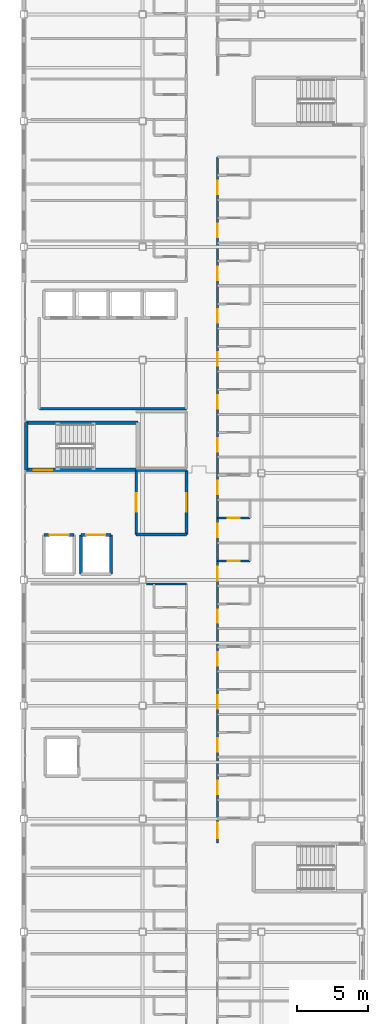
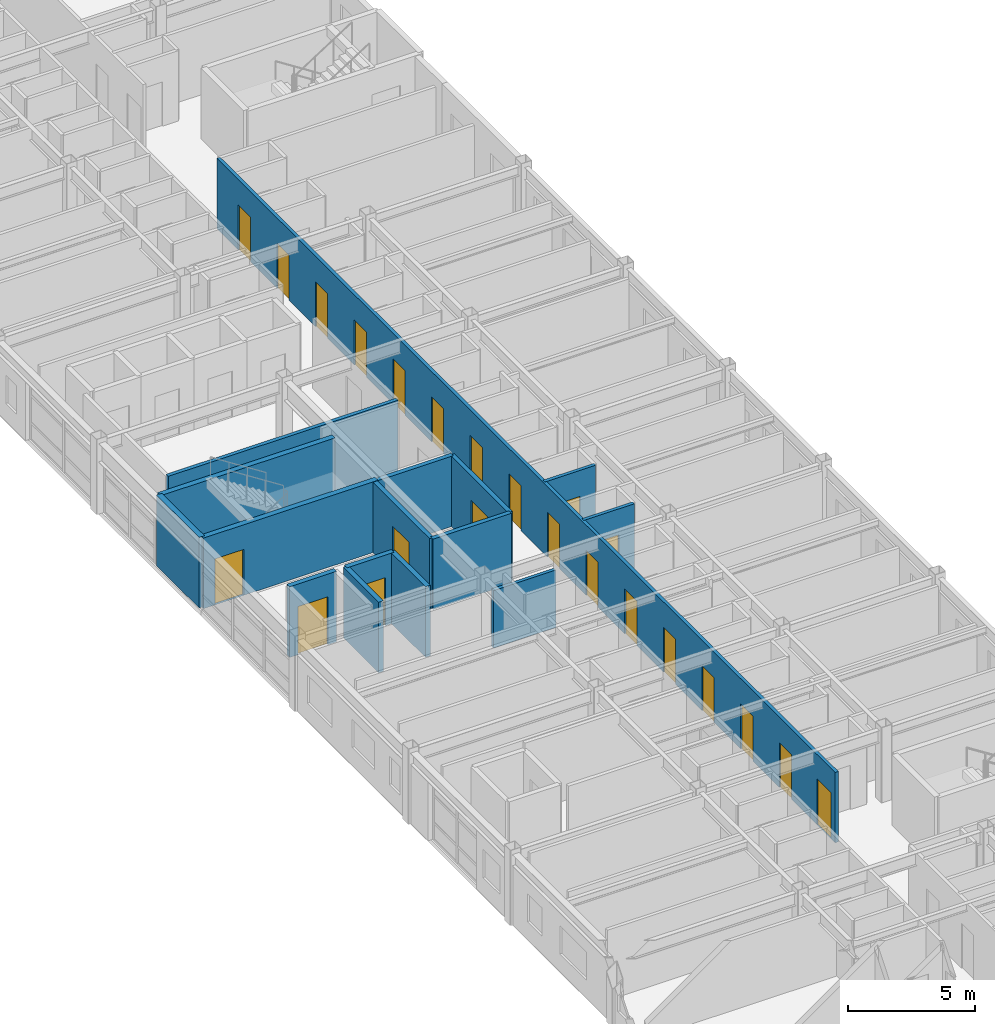
# One storey, part 26 of 33: 23 doors, 16 walls, 23 openings.
"""IFC4 building model written with IfcOpenShell, lengths in metres."""

from ifc_helpers import new_model, si_unit, direction, frame, frame_2d, origin, place, context, subcontext, project, spatial, rectangle, extrude, material, layer, layer_set, type_object, element, fill, save


model = new_model("IFC4")

# Units and contexts
model_context = context("Model", 3, precision=1e-05, world=origin(), true_north=direction((0.0, 1.0)))
body_context = subcontext(model_context, "Body", "Model", "MODEL_VIEW")
ifc_project = project(units=[si_unit("LENGTHUNIT", "METRE"), si_unit("AREAUNIT", "SQUARE_METRE"), si_unit("VOLUMEUNIT", "CUBIC_METRE"), si_unit("PLANEANGLEUNIT", "RADIAN"), si_unit("MASSUNIT", "GRAM", prefix="KILO")], contexts=[model_context])

# Site, building, storey
site_placement = place(None, origin())
site = spatial("IfcSite", under=ifc_project, at=site_placement, CompositionType="ELEMENT")
building_placement = place(site_placement, origin())
building = spatial("IfcBuilding", under=site, at=building_placement, Name="Kazehara Bluff Congress Hotel", CompositionType="ELEMENT")
storey_placement = place(building_placement, frame((0.0, 0.0, 39.0)))
storey = spatial("IfcBuildingStorey", under=building, at=storey_placement, Name="L09", CompositionType="ELEMENT", Elevation=39.0)

# Wall
ifc_material_1 = material(Name="Concrete C40/50", Category="concrete")
ifc_layer_1 = layer(ifc_material_1, 0.25)
ifc_layer_set_1 = layer_set([ifc_layer_1], Name="Concrete C40/50")
wall_type_1 = type_object("IfcWallType", Name="TP-CW-RC", PredefinedType="SHEAR", material=ifc_layer_set_1)
wall_1_placement = place(storey_placement, frame((143.875, 48.675048828125, 0.0), z_axis=(0.0, 0.0, 1.0), x_axis=(0.0, 1.0, 0.0)))
element("IfcWall", 1, at=wall_1_placement, inside=storey, type_object=wall_type_1, Name="L09 ST-11 core wall near", PredefinedType="SHEAR", context=body_context, shape_type="SweptSolid", body=[
    extrude(rectangle(XDim=3.349853515625, YDim=0.25, at=frame_2d((1.6748046875, 0.0))), origin(), (0.0, 0.0, 1.0), 3.3798828125),
])

# Wall, opening, door
wall_2_placement = place(storey_placement, frame((151.77490234375, 48.675048828125, 0.0), z_axis=(0.0, 0.0, 1.0), x_axis=(-1.0, 0.0, 0.0)))
wall_2 = element("IfcWall", 2, at=wall_2_placement, inside=storey, type_object=wall_type_1, Name="L09 ST-11 core wall left", PredefinedType="SHEAR", context=body_context, shape_type="SweptSolid", body=[
    extrude(rectangle(XDim=7.89990234375, YDim=0.25, at=frame_2d((3.949951171875, 0.0))), origin(), (0.0, 0.0, 1.0), 3.3798828125),
])
opening_1_placement = place(wall_2_placement, frame((6.074951171875, 0.0, 0.0)))
opening_1 = element("IfcOpeningElement", 3, at=opening_1_placement, cuts=wall_2, Name="Opening FD-01", PredefinedType="OPENING", context=body_context, shape_type="SweptSolid", body=[
    extrude(rectangle(XDim=1.300048828125, YDim=2.199951171875, at=frame_2d((0.64990234375, 1.10009765625))), frame((0.0, 0.135009765625, 0.0), z_axis=(0.0, -1.0, 0.0), x_axis=(1.0, 0.0, 0.0)), (0.0, 0.0, 1.0), 0.27001953125),
])
ifc_material_2 = material(Name="Fire-rated painted steel leaf", Category="steel")
door_type_1 = type_object("IfcDoorType", Name="TP-FD-01", OperationType="NOTDEFINED", PredefinedType="DOOR", material=ifc_material_2)
door_1_placement = place(opening_1_placement, origin())
door_1 = element("IfcDoor", 4, at=door_1_placement, inside=storey, type_object=door_type_1, Name="L09 ST-11 fire stair door", OperationType="SINGLE_SWING_RIGHT", OverallHeight=2.199951171875, OverallWidth=1.300048828125, PredefinedType="DOOR", context=body_context, shape_type="SweptSolid", body=[
    extrude(rectangle(XDim=1.300048828125, YDim=2.199951171875, at=frame_2d((0.64990234375, 1.10009765625))), frame((0.0, 0.02490234375, 0.0), z_axis=(0.0, -1.0, 0.0), x_axis=(1.0, 0.0, 0.0)), (0.0, 0.0, 1.0), 0.050048828125),
])
fill(opening_1, door_1)

# Walls
wall_3_placement = place(storey_placement, frame((143.875, 52.02490234375, 0.0), z_axis=(0.0, 0.0, 1.0), x_axis=(1.0, 0.0, 0.0)))
element("IfcWall", 5, at=wall_3_placement, inside=storey, type_object=wall_type_1, Name="L09 ST-11 core wall right", PredefinedType="SHEAR", context=body_context, shape_type="SweptSolid", body=[
    extrude(rectangle(XDim=7.89990234375, YDim=0.25, at=frame_2d((3.949951171875, 0.0))), origin(), (0.0, 0.0, 1.0), 3.3798828125),
])
ifc_material_3 = material(Name="Concrete C40/50", Category="concrete")
ifc_layer_2 = layer(ifc_material_3, 0.199951171875)
ifc_layer_set_2 = layer_set([ifc_layer_2], Name="Concrete C40/50")
wall_type_2 = type_object("IfcWallType", Name="TP-FW-RC", PredefinedType="SOLIDWALL", material=ifc_layer_set_2)
for number, where, z_axis, x_axis, name in (
    (6, (151.64990234375, 44.10009765625, 0.0), (0.0, 0.0, 1.0), (1.0, 0.0, 0.0), "L09 partition FW-RC 1208"),
    (7, (151.64990234375, 48.64990234375, 0.0), (0.0, 0.0, 1.0), (1.0, 0.0, 0.0), "L09 partition FW-RC 1212"),
):
    element("IfcWall", number, at=place(storey_placement, frame(where, z_axis=z_axis, x_axis=x_axis)), inside=storey, type_object=wall_type_2, Name=name, PredefinedType="SOLIDWALL", context=body_context, shape_type="SweptSolid", body=[
        extrude(rectangle(XDim=3.550048828125, YDim=0.199951171875, at=frame_2d((1.77490234375, 0.0))), origin(), (0.0, 0.0, 1.0), 3.364990234375),
    ])

# Wall, opening, door
wall_4_placement = place(storey_placement, frame((151.64990234375, 44.10009765625, 0.0), z_axis=(0.0, 0.0, 1.0), x_axis=(0.0, 1.0, 0.0)))
wall_4 = element("IfcWall", 8, at=wall_4_placement, inside=storey, type_object=wall_type_2, Name="L09 partition FW-RC 1262", PredefinedType="SOLIDWALL", context=body_context, shape_type="SweptSolid", body=[
    extrude(rectangle(XDim=4.5498046875, YDim=0.199951171875, at=frame_2d((2.27490234375, 0.0))), origin(), (0.0, 0.0, 1.0), 3.364990234375),
])
opening_2_placement = place(wall_4_placement, frame((1.625, 0.0, 0.0)))
opening_2 = element("IfcOpeningElement", 9, at=opening_2_placement, cuts=wall_4, Name="Opening FD-01", PredefinedType="OPENING", context=body_context, shape_type="SweptSolid", body=[
    extrude(rectangle(XDim=1.300048828125, YDim=2.199951171875, at=frame_2d((0.64990234375, 1.10009765625))), frame((0.0, 0.10986328125, 0.0), z_axis=(0.0, -1.0, 0.0), x_axis=(1.0, 0.0, 0.0)), (0.0, 0.0, 1.0), 0.219970703125),
])
door_2_placement = place(opening_2_placement, origin())
door_2 = element("IfcDoor", 10, at=door_2_placement, inside=storey, type_object=door_type_1, Name="L09 Emergency Firefighting Lobby door", OperationType="SINGLE_SWING_RIGHT", OverallHeight=2.199951171875, OverallWidth=1.300048828125, PredefinedType="DOOR", context=body_context, shape_type="SweptSolid", body=[
    extrude(rectangle(XDim=1.300048828125, YDim=2.199951171875, at=frame_2d((0.64990234375, 1.10009765625))), frame((0.0, 0.02490234375, 0.0), z_axis=(0.0, -1.0, 0.0), x_axis=(1.0, 0.0, 0.0)), (0.0, 0.0, 1.0), 0.050048828125),
])
fill(opening_2, door_2)

wall_5_placement = place(storey_placement, frame((155.199951171875, 44.10009765625, 0.0), z_axis=(0.0, 0.0, 1.0), x_axis=(0.0, 1.0, 0.0)))
wall_5 = element("IfcWall", 11, at=wall_5_placement, inside=storey, type_object=wall_type_2, Name="L09 partition FW-RC 1287", PredefinedType="SOLIDWALL", context=body_context, shape_type="SweptSolid", body=[
    extrude(rectangle(XDim=4.5498046875, YDim=0.199951171875, at=frame_2d((2.27490234375, 0.0))), origin(), (0.0, 0.0, 1.0), 3.364990234375),
])
opening_3_placement = place(wall_5_placement, frame((1.625, 0.0, 0.0)))
opening_3 = element("IfcOpeningElement", 12, at=opening_3_placement, cuts=wall_5, Name="Opening FD-01", PredefinedType="OPENING", context=body_context, shape_type="SweptSolid", body=[
    extrude(rectangle(XDim=1.300048828125, YDim=2.199951171875, at=frame_2d((0.64990234375, 1.10009765625))), frame((0.0, 0.10986328125, 0.0), z_axis=(0.0, -1.0, 0.0), x_axis=(1.0, 0.0, 0.0)), (0.0, 0.0, 1.0), 0.219970703125),
])
door_3_placement = place(opening_3_placement, origin())
door_3 = element("IfcDoor", 13, at=door_3_placement, inside=storey, type_object=door_type_1, Name="L09 Smoke Vestibule Lobby door", OperationType="SINGLE_SWING_LEFT", OverallHeight=2.199951171875, OverallWidth=1.300048828125, PredefinedType="DOOR", context=body_context, shape_type="SweptSolid", body=[
    extrude(rectangle(XDim=1.300048828125, YDim=2.199951171875, at=frame_2d((0.64990234375, 1.10009765625))), frame((0.0, 0.02490234375, 0.0), z_axis=(0.0, -1.0, 0.0), x_axis=(1.0, 0.0, 0.0)), (0.0, 0.0, 1.0), 0.050048828125),
])
fill(opening_3, door_3)

# Wall
ifc_material_4 = material(Name="Fire-rated gypsum board stud partition")
ifc_layer_3 = layer(ifc_material_4, 0.14990234375)
ifc_layer_set_3 = layer_set([ifc_layer_3], Name="Fire-rated gypsum board stud partition")
wall_type_3 = type_object("IfcWallType", Name="TP-PT-150", PredefinedType="PARTITIONING", material=ifc_layer_set_3)
wall_6_placement = place(storey_placement, frame((152.3701171875, 40.60009765625, 0.0), z_axis=(0.0, 0.0, 1.0), x_axis=(1.0, 0.0, 0.0)))
element("IfcWall", 14, at=wall_6_placement, inside=storey, type_object=wall_type_3, Name="L09 partition PT-150 1205", PredefinedType="PARTITIONING", context=body_context, shape_type="SweptSolid", body=[
    extrude(rectangle(XDim=2.829833984375, YDim=0.14990234375, at=frame_2d((1.4150390625, 0.0))), origin(), (0.0, 0.0, 1.0), 2.7548828125),
])

# Wall, opening, door
wall_7_placement = place(storey_placement, frame((157.39990234375, 42.22998046875, 0.0), z_axis=(0.0, 0.0, 1.0), x_axis=(1.0, 0.0, 0.0)))
wall_7 = element("IfcWall", 15, at=wall_7_placement, inside=storey, type_object=wall_type_3, Name="L09 partition PT-150 1206", PredefinedType="PARTITIONING", context=body_context, shape_type="SweptSolid", body=[
    extrude(rectangle(XDim=2.300048828125, YDim=0.14990234375, at=frame_2d((1.14990234375, 0.0))), origin(), (0.0, 0.0, 1.0), 3.364990234375),
])
opening_4_placement = place(wall_7_placement, frame((0.7099609375, 0.0, 0.0)))
opening_4 = element("IfcOpeningElement", 16, at=opening_4_placement, cuts=wall_7, Name="Opening BD-02", PredefinedType="OPENING", context=body_context, shape_type="SweptSolid", body=[
    extrude(rectangle(XDim=0.8798828125, YDim=2.1201171875, at=frame_2d((0.43994140625, 1.06005859375))), frame((0.0, 0.0849609375, 0.0), z_axis=(0.0, -1.0, 0.0), x_axis=(1.0, 0.0, 0.0)), (0.0, 0.0, 1.0), 0.169921875),
])
ifc_material_5 = material(Name="Architectural oak veneer leaf")
door_type_2 = type_object("IfcDoorType", Name="TP-BD-02", OperationType="NOTDEFINED", PredefinedType="DOOR", material=ifc_material_5)
door_4_placement = place(opening_4_placement, origin())
door_4 = element("IfcDoor", 17, at=door_4_placement, inside=storey, type_object=door_type_2, Name="L09 En-suite Bathroom 283 door", OperationType="SINGLE_SWING_RIGHT", OverallHeight=2.1201171875, OverallWidth=0.8798828125, PredefinedType="DOOR", context=body_context, shape_type="SweptSolid", body=[
    extrude(rectangle(XDim=0.8798828125, YDim=2.1201171875, at=frame_2d((0.43994140625, 1.06005859375))), frame((0.0, 0.02490234375, 0.0), z_axis=(0.0, -1.0, 0.0), x_axis=(1.0, 0.0, 0.0)), (0.0, 0.0, 1.0), 0.050048828125),
])
fill(opening_4, door_4)

wall_8_placement = place(storey_placement, frame((157.39990234375, 45.27001953125, 0.0), z_axis=(0.0, 0.0, 1.0), x_axis=(1.0, 0.0, 0.0)))
wall_8 = element("IfcWall", 18, at=wall_8_placement, inside=storey, type_object=wall_type_3, Name="L09 partition PT-150 1209", PredefinedType="PARTITIONING", context=body_context, shape_type="SweptSolid", body=[
    extrude(rectangle(XDim=2.300048828125, YDim=0.14990234375, at=frame_2d((1.14990234375, 0.0))), origin(), (0.0, 0.0, 1.0), 3.364990234375),
])
opening_5_placement = place(wall_8_placement, frame((0.7099609375, 0.0, 0.0)))
opening_5 = element("IfcOpeningElement", 19, at=opening_5_placement, cuts=wall_8, Name="Opening BD-02", PredefinedType="OPENING", context=body_context, shape_type="SweptSolid", body=[
    extrude(rectangle(XDim=0.8798828125, YDim=2.1201171875, at=frame_2d((0.43994140625, 1.06005859375))), frame((0.0, 0.0849609375, 0.0), z_axis=(0.0, -1.0, 0.0), x_axis=(1.0, 0.0, 0.0)), (0.0, 0.0, 1.0), 0.169921875),
])
door_5_placement = place(opening_5_placement, origin())
door_5 = element("IfcDoor", 20, at=door_5_placement, inside=storey, type_object=door_type_2, Name="L09 En-suite Bathroom 284 door", OperationType="SINGLE_SWING_RIGHT", OverallHeight=2.1201171875, OverallWidth=0.8798828125, PredefinedType="DOOR", context=body_context, shape_type="SweptSolid", body=[
    extrude(rectangle(XDim=0.8798828125, YDim=2.1201171875, at=frame_2d((0.43994140625, 1.06005859375))), frame((0.0, 0.02490234375, 0.0), z_axis=(0.0, -1.0, 0.0), x_axis=(1.0, 0.0, 0.0)), (0.0, 0.0, 1.0), 0.050048828125),
])
fill(opening_5, door_5)

# Wall, openings, doors
wall_9_placement = place(storey_placement, frame((157.39990234375, 22.300048828125, 0.0), z_axis=(0.0, 0.0, 1.0), x_axis=(0.0, 1.0, 0.0)))
wall_9 = element("IfcWall", 21, at=wall_9_placement, inside=storey, type_object=wall_type_3, Name="L09 partition PT-150 1292", PredefinedType="PARTITIONING", context=body_context, shape_type="SweptSolid", body=[
    extrude(rectangle(XDim=48.5, YDim=0.14990234375, at=frame_2d((24.25, 0.0))), origin(), (0.0, 0.0, 1.0), 3.364990234375),
])
opening_6_placement = place(wall_9_placement, frame((0.324951171875, 0.0, 0.0)))
opening_6 = element("IfcOpeningElement", 22, at=opening_6_placement, cuts=wall_9, Name="Opening GD-02", PredefinedType="OPENING", context=body_context, shape_type="SweptSolid", body=[
    extrude(rectangle(XDim=1.10009765625, YDim=2.199951171875, at=frame_2d((0.550048828125, 1.10009765625))), frame((0.0, 0.0849609375, 0.0), z_axis=(0.0, -1.0, 0.0), x_axis=(1.0, 0.0, 0.0)), (0.0, 0.0, 1.0), 0.169921875),
])
opening_7_placement = place(wall_9_placement, frame((3.429931640625, 0.0, 0.0)))
opening_7 = element("IfcOpeningElement", 23, at=opening_7_placement, cuts=wall_9, Name="Opening GD-01", PredefinedType="OPENING", context=body_context, shape_type="SweptSolid", body=[
    extrude(rectangle(XDim=0.949951171875, YDim=2.14990234375, at=frame_2d((0.47509765625, 1.074951171875))), frame((0.0, 0.0849609375, 0.0), z_axis=(0.0, -1.0, 0.0), x_axis=(1.0, 0.0, 0.0)), (0.0, 0.0, 1.0), 0.169921875),
])
opening_8_placement = place(wall_9_placement, frame((6.4599609375, 0.0, 0.0)))
opening_8 = element("IfcOpeningElement", 24, at=opening_8_placement, cuts=wall_9, Name="Opening GD-01", PredefinedType="OPENING", context=body_context, shape_type="SweptSolid", body=[
    extrude(rectangle(XDim=0.949951171875, YDim=2.14990234375, at=frame_2d((0.47509765625, 1.074951171875))), frame((0.0, 0.0849609375, 0.0), z_axis=(0.0, -1.0, 0.0), x_axis=(1.0, 0.0, 0.0)), (0.0, 0.0, 1.0), 0.169921875),
])
opening_9_placement = place(wall_9_placement, frame((9.4951171875, 0.0, 0.0)))
opening_9 = element("IfcOpeningElement", 25, at=opening_9_placement, cuts=wall_9, Name="Opening GD-01", PredefinedType="OPENING", context=body_context, shape_type="SweptSolid", body=[
    extrude(rectangle(XDim=0.949951171875, YDim=2.14990234375, at=frame_2d((0.47509765625, 1.074951171875))), frame((0.0, 0.0849609375, 0.0), z_axis=(0.0, -1.0, 0.0), x_axis=(1.0, 0.0, 0.0)), (0.0, 0.0, 1.0), 0.169921875),
])
opening_10_placement = place(wall_9_placement, frame((12.52490234375, 0.0, 0.0)))
opening_10 = element("IfcOpeningElement", 26, at=opening_10_placement, cuts=wall_9, Name="Opening GD-01", PredefinedType="OPENING", context=body_context, shape_type="SweptSolid", body=[
    extrude(rectangle(XDim=0.949951171875, YDim=2.14990234375, at=frame_2d((0.47509765625, 1.074951171875))), frame((0.0, 0.0849609375, 0.0), z_axis=(0.0, -1.0, 0.0), x_axis=(1.0, 0.0, 0.0)), (0.0, 0.0, 1.0), 0.169921875),
])
opening_11_placement = place(wall_9_placement, frame((15.554931640625, 0.0, 0.0)))
opening_11 = element("IfcOpeningElement", 27, at=opening_11_placement, cuts=wall_9, Name="Opening GD-01", PredefinedType="OPENING", context=body_context, shape_type="SweptSolid", body=[
    extrude(rectangle(XDim=0.949951171875, YDim=2.14990234375, at=frame_2d((0.47509765625, 1.074951171875))), frame((0.0, 0.0849609375, 0.0), z_axis=(0.0, -1.0, 0.0), x_axis=(1.0, 0.0, 0.0)), (0.0, 0.0, 1.0), 0.169921875),
])
opening_12_placement = place(wall_9_placement, frame((18.5849609375, 0.0, 0.0)))
opening_12 = element("IfcOpeningElement", 28, at=opening_12_placement, cuts=wall_9, Name="Opening GD-01", PredefinedType="OPENING", context=body_context, shape_type="SweptSolid", body=[
    extrude(rectangle(XDim=0.949951171875, YDim=2.14990234375, at=frame_2d((0.47509765625, 1.074951171875))), frame((0.0, 0.0849609375, 0.0), z_axis=(0.0, -1.0, 0.0), x_axis=(1.0, 0.0, 0.0)), (0.0, 0.0, 1.0), 0.169921875),
])
opening_13_placement = place(wall_9_placement, frame((21.6201171875, 0.0, 0.0)))
opening_13 = element("IfcOpeningElement", 29, at=opening_13_placement, cuts=wall_9, Name="Opening GD-01", PredefinedType="OPENING", context=body_context, shape_type="SweptSolid", body=[
    extrude(rectangle(XDim=0.949951171875, YDim=2.14990234375, at=frame_2d((0.47509765625, 1.074951171875))), frame((0.0, 0.0849609375, 0.0), z_axis=(0.0, -1.0, 0.0), x_axis=(1.0, 0.0, 0.0)), (0.0, 0.0, 1.0), 0.169921875),
])
opening_14_placement = place(wall_9_placement, frame((24.64990234375, 0.0, 0.0)))
opening_14 = element("IfcOpeningElement", 30, at=opening_14_placement, cuts=wall_9, Name="Opening GD-01", PredefinedType="OPENING", context=body_context, shape_type="SweptSolid", body=[
    extrude(rectangle(XDim=0.949951171875, YDim=2.14990234375, at=frame_2d((0.47509765625, 1.074951171875))), frame((0.0, 0.0849609375, 0.0), z_axis=(0.0, -1.0, 0.0), x_axis=(1.0, 0.0, 0.0)), (0.0, 0.0, 1.0), 0.169921875),
])
opening_15_placement = place(wall_9_placement, frame((27.679931640625, 0.0, 0.0)))
opening_15 = element("IfcOpeningElement", 31, at=opening_15_placement, cuts=wall_9, Name="Opening GD-01", PredefinedType="OPENING", context=body_context, shape_type="SweptSolid", body=[
    extrude(rectangle(XDim=0.949951171875, YDim=2.14990234375, at=frame_2d((0.47509765625, 1.074951171875))), frame((0.0, 0.0849609375, 0.0), z_axis=(0.0, -1.0, 0.0), x_axis=(1.0, 0.0, 0.0)), (0.0, 0.0, 1.0), 0.169921875),
])
opening_16_placement = place(wall_9_placement, frame((30.7099609375, 0.0, 0.0)))
opening_16 = element("IfcOpeningElement", 32, at=opening_16_placement, cuts=wall_9, Name="Opening GD-01", PredefinedType="OPENING", context=body_context, shape_type="SweptSolid", body=[
    extrude(rectangle(XDim=0.949951171875, YDim=2.14990234375, at=frame_2d((0.47509765625, 1.074951171875))), frame((0.0, 0.0849609375, 0.0), z_axis=(0.0, -1.0, 0.0), x_axis=(1.0, 0.0, 0.0)), (0.0, 0.0, 1.0), 0.169921875),
])
opening_17_placement = place(wall_9_placement, frame((33.7451171875, 0.0, 0.0)))
opening_17 = element("IfcOpeningElement", 33, at=opening_17_placement, cuts=wall_9, Name="Opening GD-01", PredefinedType="OPENING", context=body_context, shape_type="SweptSolid", body=[
    extrude(rectangle(XDim=0.949951171875, YDim=2.14990234375, at=frame_2d((0.47509765625, 1.074951171875))), frame((0.0, 0.0849609375, 0.0), z_axis=(0.0, -1.0, 0.0), x_axis=(1.0, 0.0, 0.0)), (0.0, 0.0, 1.0), 0.169921875),
])
opening_18_placement = place(wall_9_placement, frame((36.77490234375, 0.0, 0.0)))
opening_18 = element("IfcOpeningElement", 34, at=opening_18_placement, cuts=wall_9, Name="Opening GD-01", PredefinedType="OPENING", context=body_context, shape_type="SweptSolid", body=[
    extrude(rectangle(XDim=0.949951171875, YDim=2.14990234375, at=frame_2d((0.47509765625, 1.074951171875))), frame((0.0, 0.0849609375, 0.0), z_axis=(0.0, -1.0, 0.0), x_axis=(1.0, 0.0, 0.0)), (0.0, 0.0, 1.0), 0.169921875),
])
opening_19_placement = place(wall_9_placement, frame((39.804931640625, 0.0, 0.0)))
opening_19 = element("IfcOpeningElement", 35, at=opening_19_placement, cuts=wall_9, Name="Opening GD-01", PredefinedType="OPENING", context=body_context, shape_type="SweptSolid", body=[
    extrude(rectangle(XDim=0.949951171875, YDim=2.14990234375, at=frame_2d((0.47509765625, 1.074951171875))), frame((0.0, 0.0849609375, 0.0), z_axis=(0.0, -1.0, 0.0), x_axis=(1.0, 0.0, 0.0)), (0.0, 0.0, 1.0), 0.169921875),
])
opening_20_placement = place(wall_9_placement, frame((42.840087890625, 0.0, 0.0)))
opening_20 = element("IfcOpeningElement", 36, at=opening_20_placement, cuts=wall_9, Name="Opening GD-01", PredefinedType="OPENING", context=body_context, shape_type="SweptSolid", body=[
    extrude(rectangle(XDim=0.949951171875, YDim=2.14990234375, at=frame_2d((0.47509765625, 1.074951171875))), frame((0.0, 0.0849609375, 0.0), z_axis=(0.0, -1.0, 0.0), x_axis=(1.0, 0.0, 0.0)), (0.0, 0.0, 1.0), 0.169921875),
])
opening_21_placement = place(wall_9_placement, frame((45.8701171875, 0.0, 0.0)))
opening_21 = element("IfcOpeningElement", 37, at=opening_21_placement, cuts=wall_9, Name="Opening GD-01", PredefinedType="OPENING", context=body_context, shape_type="SweptSolid", body=[
    extrude(rectangle(XDim=0.949951171875, YDim=2.14990234375, at=frame_2d((0.47509765625, 1.074951171875))), frame((0.0, 0.0849609375, 0.0), z_axis=(0.0, -1.0, 0.0), x_axis=(1.0, 0.0, 0.0)), (0.0, 0.0, 1.0), 0.169921875),
])
ifc_material_6 = material(Name="Architectural oak veneer leaf")
door_type_3 = type_object("IfcDoorType", Name="TP-GD-01", OperationType="NOTDEFINED", PredefinedType="DOOR", material=ifc_material_6)
door_6_placement = place(opening_7_placement, origin())
door_6 = element("IfcDoor", 38, at=door_6_placement, inside=storey, type_object=door_type_3, Name="L09 Deluxe Twin Guest Room 278 door", OperationType="SINGLE_SWING_LEFT", OverallHeight=2.14990234375, OverallWidth=0.949951171875, PredefinedType="DOOR", context=body_context, shape_type="SweptSolid", body=[
    extrude(rectangle(XDim=0.949951171875, YDim=2.14990234375, at=frame_2d((0.47509765625, 1.074951171875))), frame((0.0, 0.02490234375, 0.0), z_axis=(0.0, -1.0, 0.0), x_axis=(1.0, 0.0, 0.0)), (0.0, 0.0, 1.0), 0.050048828125),
])
fill(opening_7, door_6)
door_7_placement = place(opening_8_placement, origin())
door_7 = element("IfcDoor", 39, at=door_7_placement, inside=storey, type_object=door_type_3, Name="L09 Standard King Guest Room 279 door", OperationType="SINGLE_SWING_LEFT", OverallHeight=2.14990234375, OverallWidth=0.949951171875, PredefinedType="DOOR", context=body_context, shape_type="SweptSolid", body=[
    extrude(rectangle(XDim=0.949951171875, YDim=2.14990234375, at=frame_2d((0.47509765625, 1.074951171875))), frame((0.0, 0.02490234375, 0.0), z_axis=(0.0, -1.0, 0.0), x_axis=(1.0, 0.0, 0.0)), (0.0, 0.0, 1.0), 0.050048828125),
])
fill(opening_8, door_7)
door_8_placement = place(opening_9_placement, origin())
door_8 = element("IfcDoor", 40, at=door_8_placement, inside=storey, type_object=door_type_3, Name="L09 Deluxe Twin Guest Room 280 door", OperationType="SINGLE_SWING_LEFT", OverallHeight=2.14990234375, OverallWidth=0.949951171875, PredefinedType="DOOR", context=body_context, shape_type="SweptSolid", body=[
    extrude(rectangle(XDim=0.949951171875, YDim=2.14990234375, at=frame_2d((0.47509765625, 1.074951171875))), frame((0.0, 0.02490234375, 0.0), z_axis=(0.0, -1.0, 0.0), x_axis=(1.0, 0.0, 0.0)), (0.0, 0.0, 1.0), 0.050048828125),
])
fill(opening_9, door_8)
door_9_placement = place(opening_10_placement, origin())
door_9 = element("IfcDoor", 41, at=door_9_placement, inside=storey, type_object=door_type_3, Name="L09 Standard King Guest Room 281 door", OperationType="SINGLE_SWING_LEFT", OverallHeight=2.14990234375, OverallWidth=0.949951171875, PredefinedType="DOOR", context=body_context, shape_type="SweptSolid", body=[
    extrude(rectangle(XDim=0.949951171875, YDim=2.14990234375, at=frame_2d((0.47509765625, 1.074951171875))), frame((0.0, 0.02490234375, 0.0), z_axis=(0.0, -1.0, 0.0), x_axis=(1.0, 0.0, 0.0)), (0.0, 0.0, 1.0), 0.050048828125),
])
fill(opening_10, door_9)
door_10_placement = place(opening_11_placement, origin())
door_10 = element("IfcDoor", 42, at=door_10_placement, inside=storey, type_object=door_type_3, Name="L09 Deluxe Twin Guest Room 282 door", OperationType="SINGLE_SWING_LEFT", OverallHeight=2.14990234375, OverallWidth=0.949951171875, PredefinedType="DOOR", context=body_context, shape_type="SweptSolid", body=[
    extrude(rectangle(XDim=0.949951171875, YDim=2.14990234375, at=frame_2d((0.47509765625, 1.074951171875))), frame((0.0, 0.02490234375, 0.0), z_axis=(0.0, -1.0, 0.0), x_axis=(1.0, 0.0, 0.0)), (0.0, 0.0, 1.0), 0.050048828125),
])
fill(opening_11, door_10)
door_11_placement = place(opening_12_placement, origin())
door_11 = element("IfcDoor", 43, at=door_11_placement, inside=storey, type_object=door_type_3, Name="L09 Standard King Guest Room 283 door", OperationType="SINGLE_SWING_LEFT", OverallHeight=2.14990234375, OverallWidth=0.949951171875, PredefinedType="DOOR", context=body_context, shape_type="SweptSolid", body=[
    extrude(rectangle(XDim=0.949951171875, YDim=2.14990234375, at=frame_2d((0.47509765625, 1.074951171875))), frame((0.0, 0.02490234375, 0.0), z_axis=(0.0, -1.0, 0.0), x_axis=(1.0, 0.0, 0.0)), (0.0, 0.0, 1.0), 0.050048828125),
])
fill(opening_12, door_11)
door_12_placement = place(opening_13_placement, origin())
door_12 = element("IfcDoor", 44, at=door_12_placement, inside=storey, type_object=door_type_3, Name="L09 Deluxe Twin Guest Room 284 door", OperationType="SINGLE_SWING_LEFT", OverallHeight=2.14990234375, OverallWidth=0.949951171875, PredefinedType="DOOR", context=body_context, shape_type="SweptSolid", body=[
    extrude(rectangle(XDim=0.949951171875, YDim=2.14990234375, at=frame_2d((0.47509765625, 1.074951171875))), frame((0.0, 0.02490234375, 0.0), z_axis=(0.0, -1.0, 0.0), x_axis=(1.0, 0.0, 0.0)), (0.0, 0.0, 1.0), 0.050048828125),
])
fill(opening_13, door_12)
door_13_placement = place(opening_14_placement, origin())
door_13 = element("IfcDoor", 45, at=door_13_placement, inside=storey, type_object=door_type_3, Name="L09 Standard King Guest Room 285 door", OperationType="SINGLE_SWING_LEFT", OverallHeight=2.14990234375, OverallWidth=0.949951171875, PredefinedType="DOOR", context=body_context, shape_type="SweptSolid", body=[
    extrude(rectangle(XDim=0.949951171875, YDim=2.14990234375, at=frame_2d((0.47509765625, 1.074951171875))), frame((0.0, 0.02490234375, 0.0), z_axis=(0.0, -1.0, 0.0), x_axis=(1.0, 0.0, 0.0)), (0.0, 0.0, 1.0), 0.050048828125),
])
fill(opening_14, door_13)
door_14_placement = place(opening_15_placement, origin())
door_14 = element("IfcDoor", 46, at=door_14_placement, inside=storey, type_object=door_type_3, Name="L09 Deluxe Twin Guest Room 286 door", OperationType="SINGLE_SWING_LEFT", OverallHeight=2.14990234375, OverallWidth=0.949951171875, PredefinedType="DOOR", context=body_context, shape_type="SweptSolid", body=[
    extrude(rectangle(XDim=0.949951171875, YDim=2.14990234375, at=frame_2d((0.47509765625, 1.074951171875))), frame((0.0, 0.02490234375, 0.0), z_axis=(0.0, -1.0, 0.0), x_axis=(1.0, 0.0, 0.0)), (0.0, 0.0, 1.0), 0.050048828125),
])
fill(opening_15, door_14)
door_15_placement = place(opening_16_placement, origin())
door_15 = element("IfcDoor", 47, at=door_15_placement, inside=storey, type_object=door_type_3, Name="L09 Standard King Guest Room 287 door", OperationType="SINGLE_SWING_LEFT", OverallHeight=2.14990234375, OverallWidth=0.949951171875, PredefinedType="DOOR", context=body_context, shape_type="SweptSolid", body=[
    extrude(rectangle(XDim=0.949951171875, YDim=2.14990234375, at=frame_2d((0.47509765625, 1.074951171875))), frame((0.0, 0.02490234375, 0.0), z_axis=(0.0, -1.0, 0.0), x_axis=(1.0, 0.0, 0.0)), (0.0, 0.0, 1.0), 0.050048828125),
])
fill(opening_16, door_15)
door_16_placement = place(opening_17_placement, origin())
door_16 = element("IfcDoor", 48, at=door_16_placement, inside=storey, type_object=door_type_3, Name="L09 Deluxe Twin Guest Room 288 door", OperationType="SINGLE_SWING_LEFT", OverallHeight=2.14990234375, OverallWidth=0.949951171875, PredefinedType="DOOR", context=body_context, shape_type="SweptSolid", body=[
    extrude(rectangle(XDim=0.949951171875, YDim=2.14990234375, at=frame_2d((0.47509765625, 1.074951171875))), frame((0.0, 0.02490234375, 0.0), z_axis=(0.0, -1.0, 0.0), x_axis=(1.0, 0.0, 0.0)), (0.0, 0.0, 1.0), 0.050048828125),
])
fill(opening_17, door_16)
door_17_placement = place(opening_18_placement, origin())
door_17 = element("IfcDoor", 49, at=door_17_placement, inside=storey, type_object=door_type_3, Name="L09 Standard King Guest Room 289 door", OperationType="SINGLE_SWING_LEFT", OverallHeight=2.14990234375, OverallWidth=0.949951171875, PredefinedType="DOOR", context=body_context, shape_type="SweptSolid", body=[
    extrude(rectangle(XDim=0.949951171875, YDim=2.14990234375, at=frame_2d((0.47509765625, 1.074951171875))), frame((0.0, 0.02490234375, 0.0), z_axis=(0.0, -1.0, 0.0), x_axis=(1.0, 0.0, 0.0)), (0.0, 0.0, 1.0), 0.050048828125),
])
fill(opening_18, door_17)
door_18_placement = place(opening_19_placement, origin())
door_18 = element("IfcDoor", 50, at=door_18_placement, inside=storey, type_object=door_type_3, Name="L09 Deluxe Twin Guest Room 290 door", OperationType="SINGLE_SWING_LEFT", OverallHeight=2.14990234375, OverallWidth=0.949951171875, PredefinedType="DOOR", context=body_context, shape_type="SweptSolid", body=[
    extrude(rectangle(XDim=0.949951171875, YDim=2.14990234375, at=frame_2d((0.47509765625, 1.074951171875))), frame((0.0, 0.02490234375, 0.0), z_axis=(0.0, -1.0, 0.0), x_axis=(1.0, 0.0, 0.0)), (0.0, 0.0, 1.0), 0.050048828125),
])
fill(opening_19, door_18)
door_19_placement = place(opening_20_placement, origin())
door_19 = element("IfcDoor", 51, at=door_19_placement, inside=storey, type_object=door_type_3, Name="L09 Standard King Guest Room 291 door", OperationType="SINGLE_SWING_LEFT", OverallHeight=2.14990234375, OverallWidth=0.949951171875, PredefinedType="DOOR", context=body_context, shape_type="SweptSolid", body=[
    extrude(rectangle(XDim=0.949951171875, YDim=2.14990234375, at=frame_2d((0.47509765625, 1.074951171875))), frame((0.0, 0.02490234375, 0.0), z_axis=(0.0, -1.0, 0.0), x_axis=(1.0, 0.0, 0.0)), (0.0, 0.0, 1.0), 0.050048828125),
])
fill(opening_20, door_19)
door_20_placement = place(opening_21_placement, origin())
door_20 = element("IfcDoor", 52, at=door_20_placement, inside=storey, type_object=door_type_3, Name="L09 Deluxe Twin Guest Room 292 door", OperationType="SINGLE_SWING_LEFT", OverallHeight=2.14990234375, OverallWidth=0.949951171875, PredefinedType="DOOR", context=body_context, shape_type="SweptSolid", body=[
    extrude(rectangle(XDim=0.949951171875, YDim=2.14990234375, at=frame_2d((0.47509765625, 1.074951171875))), frame((0.0, 0.02490234375, 0.0), z_axis=(0.0, -1.0, 0.0), x_axis=(1.0, 0.0, 0.0)), (0.0, 0.0, 1.0), 0.050048828125),
])
fill(opening_21, door_20)
ifc_material_7 = material(Name="Architectural oak veneer leaf")
door_type_4 = type_object("IfcDoorType", Name="TP-GD-02", OperationType="NOTDEFINED", PredefinedType="DOOR", material=ifc_material_7)
door_21_placement = place(opening_6_placement, origin())
door_21 = element("IfcDoor", 53, at=door_21_placement, inside=storey, type_object=door_type_4, Name="L09 Executive Suite 277 door", OperationType="SINGLE_SWING_LEFT", OverallHeight=2.199951171875, OverallWidth=1.10009765625, PredefinedType="DOOR", context=body_context, shape_type="SweptSolid", body=[
    extrude(rectangle(XDim=1.10009765625, YDim=2.199951171875, at=frame_2d((0.550048828125, 1.10009765625))), frame((0.0, 0.02490234375, 0.0), z_axis=(0.0, -1.0, 0.0), x_axis=(1.0, 0.0, 0.0)), (0.0, 0.0, 1.0), 0.050048828125),
])
fill(opening_6, door_21)

# Wall
ifc_material_8 = material(Name="Fire-rated gypsum board stud partition")
ifc_layer_4 = layer(ifc_material_8, 0.169921875)
ifc_layer_set_4 = layer_set([ifc_layer_4], Name="Fire-rated gypsum board stud partition")
wall_type_4 = type_object("IfcWallType", Name="TP-PT-180", PredefinedType="PARTITIONING", material=ifc_layer_set_4)
wall_10_placement = place(storey_placement, frame((144.800048828125, 53.0, 0.0), z_axis=(0.0, 0.0, 1.0), x_axis=(1.0, 0.0, 0.0)))
element("IfcWall", 54, at=wall_10_placement, inside=storey, type_object=wall_type_4, Name="L09 partition PT-180 1218", PredefinedType="PARTITIONING", context=body_context, shape_type="SweptSolid", body=[
    extrude(rectangle(XDim=10.39990234375, YDim=0.169921875, at=frame_2d((5.199951171875, 0.0))), origin(), (0.0, 0.0, 1.0), 3.364990234375),
])

# Wall, opening, door
ifc_material_9 = material(Name="Concrete C40/50", Category="concrete")
ifc_layer_5 = layer(ifc_material_9, 0.219970703125)
ifc_layer_set_5 = layer_set([ifc_layer_5], Name="Concrete C40/50")
wall_type_5 = type_object("IfcWallType", Name="TP-SW-RC", PredefinedType="SHEAR", material=ifc_layer_set_5)
wall_11_placement = place(storey_placement, frame((145.139892578125, 44.0849609375, 0.0), z_axis=(0.0, 0.0, 1.0), x_axis=(1.0, 0.0, 0.0)))
wall_11 = element("IfcWall", 55, at=wall_11_placement, inside=storey, type_object=wall_type_5, Name="L09 EL-E1 lift shaft wall +Y", PredefinedType="SHEAR", context=body_context, shape_type="SweptSolid", body=[
    extrude(rectangle(XDim=2.1201171875, YDim=0.219970703125, at=frame_2d((1.06005859375, 0.0))), origin(), (0.0, 0.0, 1.0), 3.3798828125),
])
opening_22_placement = place(wall_11_placement, frame((0.385009765625, 0.0, 0.0)))
opening_22 = element("IfcOpeningElement", 56, at=opening_22_placement, cuts=wall_11, Name="Opening LD-03", PredefinedType="OPENING", context=body_context, shape_type="SweptSolid", body=[
    extrude(rectangle(XDim=1.35009765625, YDim=2.300048828125, at=frame_2d((0.675048828125, 1.14990234375))), frame((0.0, 0.119873046875, 0.0), z_axis=(0.0, -1.0, 0.0), x_axis=(1.0, 0.0, 0.0)), (0.0, 0.0, 1.0), 0.239990234375),
])
ifc_material_10 = material(Name="Fire-rated painted steel leaf", Category="steel")
door_type_5 = type_object("IfcDoorType", Name="TP-LD-03", OperationType="SLIDING_TO_LEFT", PredefinedType="DOOR", material=ifc_material_10)
door_22_placement = place(opening_22_placement, origin())
door_22 = element("IfcDoor", 57, at=door_22_placement, inside=storey, type_object=door_type_5, Name="L09 EL-E1 elevator landing door", OperationType="SLIDING_TO_LEFT", OverallHeight=2.300048828125, OverallWidth=1.35009765625, PredefinedType="DOOR", context=body_context, shape_type="SweptSolid", body=[
    extrude(rectangle(XDim=1.35009765625, YDim=2.300048828125, at=frame_2d((0.675048828125, 1.14990234375))), frame((0.0, 0.02490234375, 0.0), z_axis=(0.0, -1.0, 0.0), x_axis=(1.0, 0.0, 0.0)), (0.0, 0.0, 1.0), 0.050048828125),
])
fill(opening_22, door_22)

wall_12_placement = place(storey_placement, frame((147.739990234375, 44.0849609375, 0.0), z_axis=(0.0, 0.0, 1.0), x_axis=(1.0, 0.0, 0.0)))
wall_12 = element("IfcWall", 58, at=wall_12_placement, inside=storey, type_object=wall_type_5, Name="L09 EL-E2 lift shaft wall +Y", PredefinedType="SHEAR", context=body_context, shape_type="SweptSolid", body=[
    extrude(rectangle(XDim=2.1201171875, YDim=0.219970703125, at=frame_2d((1.06005859375, 0.0))), origin(), (0.0, 0.0, 1.0), 3.3798828125),
])
opening_23_placement = place(wall_12_placement, frame((0.385009765625, 0.0, 0.0)))
opening_23 = element("IfcOpeningElement", 59, at=opening_23_placement, cuts=wall_12, Name="Opening LD-03", PredefinedType="OPENING", context=body_context, shape_type="SweptSolid", body=[
    extrude(rectangle(XDim=1.35009765625, YDim=2.300048828125, at=frame_2d((0.675048828125, 1.14990234375))), frame((0.0, 0.119873046875, 0.0), z_axis=(0.0, -1.0, 0.0), x_axis=(1.0, 0.0, 0.0)), (0.0, 0.0, 1.0), 0.239990234375),
])
door_23_placement = place(opening_23_placement, origin())
door_23 = element("IfcDoor", 60, at=door_23_placement, inside=storey, type_object=door_type_5, Name="L09 EL-E2 elevator landing door", OperationType="SLIDING_TO_LEFT", OverallHeight=2.300048828125, OverallWidth=1.35009765625, PredefinedType="DOOR", context=body_context, shape_type="SweptSolid", body=[
    extrude(rectangle(XDim=1.35009765625, YDim=2.300048828125, at=frame_2d((0.675048828125, 1.14990234375))), frame((0.0, 0.02490234375, 0.0), z_axis=(0.0, -1.0, 0.0), x_axis=(1.0, 0.0, 0.0)), (0.0, 0.0, 1.0), 0.050048828125),
])
fill(opening_23, door_23)

# Walls
for number, where, z_axis, x_axis, name in (
    (61, (149.860107421875, 41.31494140625, 0.0), (0.0, 0.0, 1.0), (0.0, 1.0, 0.0), "L09 EL-E2 lift shaft wall +X"),
    (62, (147.739990234375, 41.31494140625, 0.0), (0.0, 0.0, 1.0), (0.0, 1.0, 0.0), "L09 EL-E2 lift shaft wall -X"),
):
    element("IfcWall", number, at=place(storey_placement, frame(where, z_axis=z_axis, x_axis=x_axis)), inside=storey, type_object=wall_type_5, Name=name, PredefinedType="SHEAR", context=body_context, shape_type="SweptSolid", body=[
        extrude(rectangle(XDim=2.77001953125, YDim=0.219970703125, at=frame_2d((1.385009765625, 0.0))), origin(), (0.0, 0.0, 1.0), 3.3798828125),
    ])

save(model, "model.ifc")
